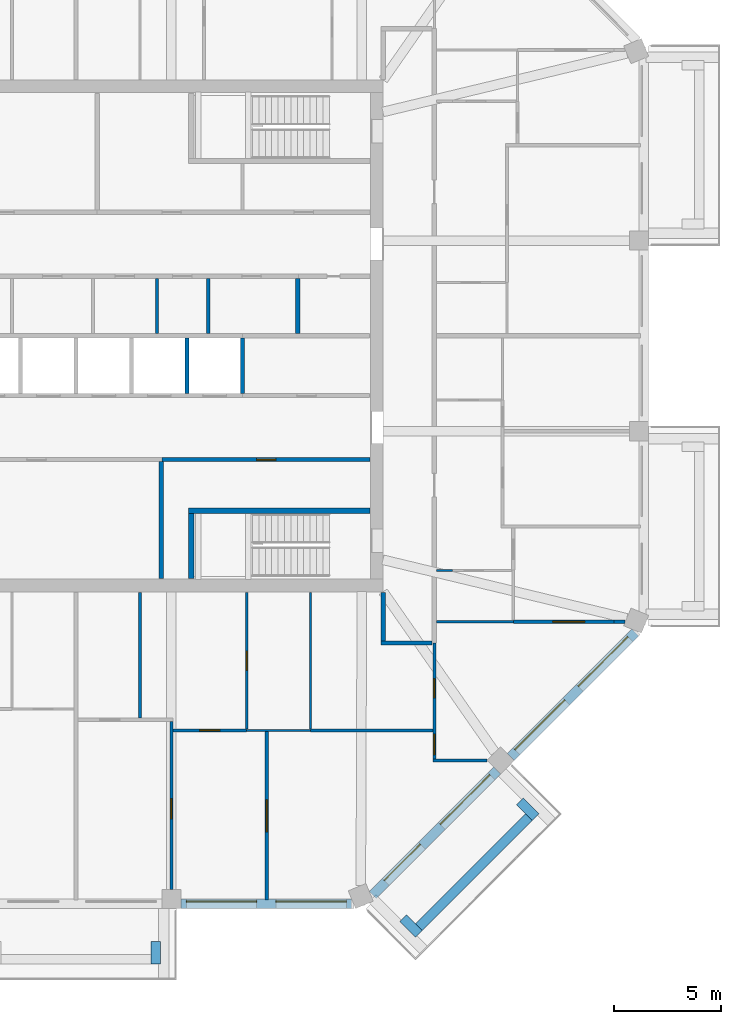
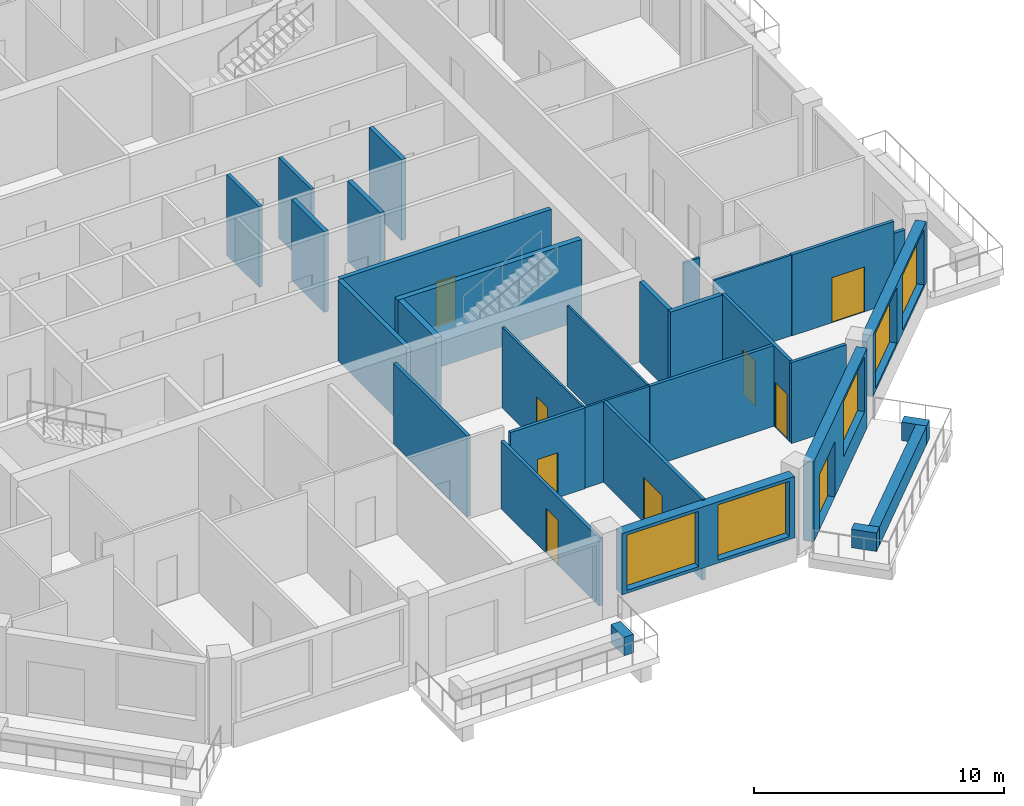
# One storey, part 5 of 12: 32 walls, 9 doors, 5 windows, 14 openings.
"""IFC4 building model written with IfcOpenShell, lengths in metres."""

from ifc_helpers import new_model, si_unit, direction, frame, frame_2d, origin, place, context, subcontext, project, spatial, rectangle, extrude, material, layer, layer_set, type_object, element, fill, save


model = new_model("IFC4")

# Units and contexts
model_context = context("Model", 3, precision=1e-05, world=origin(), true_north=direction((0.0, 1.0)))
body_context = subcontext(model_context, "Body", "Model", "MODEL_VIEW")
ifc_project = project(units=[si_unit("LENGTHUNIT", "METRE"), si_unit("AREAUNIT", "SQUARE_METRE"), si_unit("VOLUMEUNIT", "CUBIC_METRE"), si_unit("PLANEANGLEUNIT", "RADIAN"), si_unit("MASSUNIT", "GRAM", prefix="KILO")], contexts=[model_context])

# Site, building, storey
site_placement = place(None, origin())
site = spatial("IfcSite", under=ifc_project, at=site_placement, CompositionType="ELEMENT")
building_placement = place(site_placement, origin())
building = spatial("IfcBuilding", under=site, at=building_placement, Name="Msitu Wima Residences", CompositionType="ELEMENT")
storey_placement = place(building_placement, frame((0.0, 0.0, 272.699951171875)))
storey = spatial("IfcBuildingStorey", under=building, at=storey_placement, Name="L63", CompositionType="ELEMENT", Elevation=272.699951171875)

# Walls
ifc_material_1 = material(Name="Facing brick")
ifc_layer_1 = layer(ifc_material_1, 0.06494140625, Name="Facing brick")
ifc_material_2 = material(Name="Concrete C40/50", Category="concrete")
ifc_layer_2 = layer(ifc_material_2, 0.156005859375, Name="Concrete C40/50")
ifc_material_3 = material(Name="Waterproofing membrane")
ifc_layer_3 = layer(ifc_material_3, 0.00390625, Name="Waterproofing membrane")
ifc_material_4 = material(Name="Planting soil and planting")
ifc_layer_4 = layer(ifc_material_4, 0.22509765625, Name="Planting soil and planting")
ifc_layer_set_1 = layer_set([ifc_layer_1, ifc_layer_2, ifc_layer_3, ifc_layer_4], Name="Concrete C40/50")
wall_type_1 = type_object("IfcWallType", Name="Balcony planter PLANTER PL450", PredefinedType="USERDEFINED", material=ifc_layer_set_1)
wall_1_placement = place(storey_placement, frame((3.74365234375, -28.39990234375, 0.0), z_axis=(0.0, 0.0, 1.0), x_axis=(0.0, -1.0, 0.0)))
element("IfcWall", 1, at=wall_1_placement, inside=storey, type_object=wall_type_1, Name="Balcony planter S1 L63", ObjectType="PLANTER", PredefinedType="USERDEFINED", context=body_context, shape_type="SweptSolid", body=[
    extrude(rectangle(XDim=1.050048828125, YDim=0.449951171875, at=frame_2d((0.52490234375, 0.0))), origin(), (0.0, 0.0, 1.0), 0.900146484375),
])
wall_2_placement = place(storey_placement, frame((16.0751953125, -27.725830078125, 0.0), z_axis=(0.0, 0.0, 1.0), x_axis=(0.707106781187, 0.707106781187, 0.0)))
element("IfcWall", 2, at=wall_2_placement, inside=storey, type_object=wall_type_1, Name="Balcony planter SE0 L63", ObjectType="PLANTER", PredefinedType="USERDEFINED", context=body_context, shape_type="SweptSolid", body=[
    extrude(rectangle(XDim=7.288330078125, YDim=0.449951171875, at=frame_2d((3.64404296875, 0.0))), origin(), (0.0, 0.0, 1.0), 0.900146484375),
])
for number, where, z_axis, x_axis, name in (
    (3, (15.332763671875, -27.301513671875, 0.0), (0.0, 0.0, 1.0), (0.707106781187, -0.707106781187, 0.0), "Balcony planter SE0 L63"),
    (4, (20.804443359375, -21.829833984375, 0.0), (0.0, 0.0, 1.0), (0.707106781187, -0.707106781187, 0.0), "Balcony planter SE0 L63"),
):
    element("IfcWall", number, at=place(storey_placement, frame(where, z_axis=z_axis, x_axis=x_axis)), inside=storey, type_object=wall_type_1, Name=name, ObjectType="PLANTER", PredefinedType="USERDEFINED", context=body_context, shape_type="SweptSolid", body=[
        extrude(rectangle(XDim=1.050048828125, YDim=0.449951171875, at=frame_2d((0.52490234375, 0.0))), origin(), (0.0, 0.0, 1.0), 0.900146484375),
    ])

# Wall, openings, windows
ifc_material_5 = material(Name="Brick (red buff mix)", Category="masonry")
ifc_layer_5 = layer(ifc_material_5, 0.449951171875)
ifc_layer_set_2 = layer_set([ifc_layer_5], Name="Brick (red buff mix)")
wall_type_2 = type_object("IfcWallType", Name="Brick infill wall BW450", PredefinedType="SOLIDWALL", material=ifc_layer_set_2)
wall_3_placement = place(storey_placement, frame((4.918701171875, -26.625, 0.900146484375), z_axis=(0.0, 0.0, 1.0), x_axis=(1.0, 0.0, 0.0)))
wall_3 = element("IfcWall", 5, at=wall_3_placement, inside=storey, type_object=wall_type_2, Name="Brick infill wall L63 S2", PredefinedType="SOLIDWALL", context=body_context, shape_type="SweptSolid", body=[
    extrude(rectangle(XDim=8.0, YDim=0.449951171875, at=frame_2d((4.0, 0.0))), origin(), (0.0, 0.0, 1.0), 3.0),
])
opening_1_placement = place(wall_3_placement, frame((0.25, 0.0, 0.14990234375)))
opening_1 = element("IfcOpeningElement", 6, at=opening_1_placement, cuts=wall_3, Name="Opening W63-64.019", PredefinedType="OPENING", context=body_context, shape_type="SweptSolid", body=[
    extrude(rectangle(XDim=3.300048828125, YDim=2.699951171875, at=frame_2d((1.64990234375, 1.35009765625))), frame((0.0, 0.23486328125, 0.0), z_axis=(0.0, -1.0, 0.0), x_axis=(1.0, 0.0, 0.0)), (0.0, 0.0, 1.0), 0.469970703125),
])
opening_2_placement = place(wall_3_placement, frame((4.4501953125, 0.0, 0.14990234375)))
opening_2 = element("IfcOpeningElement", 7, at=opening_2_placement, cuts=wall_3, Name="Opening W63-64.020", PredefinedType="OPENING", context=body_context, shape_type="SweptSolid", body=[
    extrude(rectangle(XDim=3.300048828125, YDim=2.699951171875, at=frame_2d((1.64990234375, 1.35009765625))), frame((0.0, 0.23486328125, 0.0), z_axis=(0.0, -1.0, 0.0), x_axis=(1.0, 0.0, 0.0)), (0.0, 0.0, 1.0), 0.469970703125),
])
ifc_material_6 = material(Name="Anodised aluminium, bronze finish, clear low-emissivity double glazing", Category="aluminium")
window_type = type_object("IfcWindowType", Name="Window W3300x2700", PartitioningType="DOUBLE_PANEL_VERTICAL", PredefinedType="WINDOW", material=ifc_material_6)
window_1_placement = place(opening_1_placement, origin())
window_1 = element("IfcWindow", 8, at=window_1_placement, inside=storey, type_object=window_type, Name="Window L63 S2.1", OverallHeight=2.699951171875, OverallWidth=3.300048828125, PartitioningType="SINGLE_PANEL", PredefinedType="WINDOW", context=body_context, shape_type="SweptSolid", body=[
    extrude(rectangle(XDim=3.300048828125, YDim=2.699951171875, at=frame_2d((1.64990234375, 1.35009765625))), frame((0.0, 0.135009765625, 0.0), z_axis=(0.0, -1.0, 0.0), x_axis=(1.0, 0.0, 0.0)), (0.0, 0.0, 1.0), 0.06005859375),
])
fill(opening_1, window_1)
window_2_placement = place(opening_2_placement, origin())
window_2 = element("IfcWindow", 9, at=window_2_placement, inside=storey, type_object=window_type, Name="Window L63 S2.2", OverallHeight=2.699951171875, OverallWidth=3.300048828125, PartitioningType="SINGLE_PANEL", PredefinedType="WINDOW", context=body_context, shape_type="SweptSolid", body=[
    extrude(rectangle(XDim=3.300048828125, YDim=2.699951171875, at=frame_2d((1.64990234375, 1.35009765625))), frame((0.0, 0.135009765625, 0.0), z_axis=(0.0, -1.0, 0.0), x_axis=(1.0, 0.0, 0.0)), (0.0, 0.0, 1.0), 0.06005859375),
])
fill(opening_2, window_2)

# Wall, openings, door, window
wall_4_placement = place(storey_placement, frame((13.909423828125, -26.214599609375, 0.0), z_axis=(0.0, 0.0, 1.0), x_axis=(0.707106781187, 0.707106781187, 0.0)))
wall_4 = element("IfcWall", 10, at=wall_4_placement, inside=storey, type_object=wall_type_2, Name="Brick infill wall L63 SE0", PredefinedType="SOLIDWALL", context=body_context, shape_type="SweptSolid", body=[
    extrude(rectangle(XDim=8.251220703125, YDim=0.449951171875, at=frame_2d((4.12548828125, 0.0))), origin(), (0.0, 0.0, 1.0), 3.900146484375),
])
opening_3_placement = place(wall_4_placement, frame((0.86279296875, 0.0, 0.0)))
opening_3 = element("IfcOpeningElement", 11, at=opening_3_placement, cuts=wall_4, Name="Opening D63-64.007", PredefinedType="OPENING", context=body_context, shape_type="SweptSolid", body=[
    extrude(rectangle(XDim=2.39990234375, YDim=2.699951171875, at=frame_2d((1.199951171875, 1.35009765625))), frame((0.0, 0.23486328125, 0.0), z_axis=(0.0, -1.0, 0.0), x_axis=(1.0, 0.0, 0.0)), (0.0, 0.0, 1.0), 0.469970703125),
])
opening_4_placement = place(wall_4_placement, frame((4.57568359375, 0.0, 1.050048828125)))
opening_4 = element("IfcOpeningElement", 12, at=opening_4_placement, cuts=wall_4, Name="Opening W63-64.021", PredefinedType="OPENING", context=body_context, shape_type="SweptSolid", body=[
    extrude(rectangle(XDim=3.300048828125, YDim=2.699951171875, at=frame_2d((1.64990234375, 1.35009765625))), frame((0.0, 0.23486328125, 0.0), z_axis=(0.0, -1.0, 0.0), x_axis=(1.0, 0.0, 0.0)), (0.0, 0.0, 1.0), 0.469970703125),
])
door_type_1 = type_object("IfcDoorType", Name="Balcony door D2400x2700", OperationType="SLIDING_TO_LEFT", PredefinedType="DOOR", material=ifc_material_6)
door_1_placement = place(opening_3_placement, origin())
door_1 = element("IfcDoor", 13, at=door_1_placement, inside=storey, type_object=door_type_1, Name="Balcony door L63 SE0", OperationType="SINGLE_SWING_LEFT", OverallHeight=2.699951171875, OverallWidth=2.39990234375, PredefinedType="DOOR", context=body_context, shape_type="SweptSolid", body=[
    extrude(rectangle(XDim=2.39990234375, YDim=2.699951171875, at=frame_2d((1.199951171875, 1.35009765625))), frame((0.0, 0.1298828125, 0.0), z_axis=(0.0, -1.0, 0.0), x_axis=(1.0, 0.0, 0.0)), (0.0, 0.0, 1.0), 0.050048828125),
])
fill(opening_3, door_1)
window_3_placement = place(opening_4_placement, origin())
window_3 = element("IfcWindow", 14, at=window_3_placement, inside=storey, type_object=window_type, Name="Window L63 SE0.2", OverallHeight=2.699951171875, OverallWidth=3.300048828125, PartitioningType="SINGLE_PANEL", PredefinedType="WINDOW", context=body_context, shape_type="SweptSolid", body=[
    extrude(rectangle(XDim=3.300048828125, YDim=2.699951171875, at=frame_2d((1.64990234375, 1.35009765625))), frame((0.0, 0.135009765625, 0.0), z_axis=(0.0, -1.0, 0.0), x_axis=(1.0, 0.0, 0.0)), (0.0, 0.0, 1.0), 0.06005859375),
])
fill(opening_4, window_3)

# Wall, openings, windows
wall_5_placement = place(storey_placement, frame((20.380126953125, -19.743896484375, 0.900146484375), z_axis=(0.0, 0.0, 1.0), x_axis=(0.707106781187, 0.707106781187, 0.0)))
wall_5 = element("IfcWall", 15, at=wall_5_placement, inside=storey, type_object=wall_type_2, Name="Brick infill wall L63 SE1", PredefinedType="SOLIDWALL", context=body_context, shape_type="SweptSolid", body=[
    extrude(rectangle(XDim=8.251220703125, YDim=0.449951171875, at=frame_2d((4.12548828125, 0.0))), origin(), (0.0, 0.0, 1.0), 3.0),
])
opening_5_placement = place(wall_5_placement, frame((0.37548828125, 0.0, 0.14990234375)))
opening_5 = element("IfcOpeningElement", 16, at=opening_5_placement, cuts=wall_5, Name="Opening W63-64.022", PredefinedType="OPENING", context=body_context, shape_type="SweptSolid", body=[
    extrude(rectangle(XDim=3.300048828125, YDim=2.699951171875, at=frame_2d((1.64990234375, 1.35009765625))), frame((0.0, 0.23486328125, 0.0), z_axis=(0.0, -1.0, 0.0), x_axis=(1.0, 0.0, 0.0)), (0.0, 0.0, 1.0), 0.469970703125),
])
opening_6_placement = place(wall_5_placement, frame((4.57568359375, 0.0, 0.14990234375)))
opening_6 = element("IfcOpeningElement", 17, at=opening_6_placement, cuts=wall_5, Name="Opening W63-64.023", PredefinedType="OPENING", context=body_context, shape_type="SweptSolid", body=[
    extrude(rectangle(XDim=3.300048828125, YDim=2.699951171875, at=frame_2d((1.64990234375, 1.35009765625))), frame((0.0, 0.23486328125, 0.0), z_axis=(0.0, -1.0, 0.0), x_axis=(1.0, 0.0, 0.0)), (0.0, 0.0, 1.0), 0.469970703125),
])
window_4_placement = place(opening_5_placement, origin())
window_4 = element("IfcWindow", 18, at=window_4_placement, inside=storey, type_object=window_type, Name="Window L63 SE1.1", OverallHeight=2.699951171875, OverallWidth=3.300048828125, PartitioningType="SINGLE_PANEL", PredefinedType="WINDOW", context=body_context, shape_type="SweptSolid", body=[
    extrude(rectangle(XDim=3.300048828125, YDim=2.699951171875, at=frame_2d((1.64990234375, 1.35009765625))), frame((0.0, 0.135009765625, 0.0), z_axis=(0.0, -1.0, 0.0), x_axis=(1.0, 0.0, 0.0)), (0.0, 0.0, 1.0), 0.06005859375),
])
fill(opening_5, window_4)
window_5_placement = place(opening_6_placement, origin())
window_5 = element("IfcWindow", 19, at=window_5_placement, inside=storey, type_object=window_type, Name="Window L63 SE1.2", OverallHeight=2.699951171875, OverallWidth=3.300048828125, PartitioningType="SINGLE_PANEL", PredefinedType="WINDOW", context=body_context, shape_type="SweptSolid", body=[
    extrude(rectangle(XDim=3.300048828125, YDim=2.699951171875, at=frame_2d((1.64990234375, 1.35009765625))), frame((0.0, 0.135009765625, 0.0), z_axis=(0.0, -1.0, 0.0), x_axis=(1.0, 0.0, 0.0)), (0.0, 0.0, 1.0), 0.06005859375),
])
fill(opening_6, window_5)

# Wall, opening, door
ifc_material_7 = material(Name="Plaster")
ifc_layer_6 = layer(ifc_material_7, 0.011962890625, Name="Plaster")
ifc_material_8 = material(Name="Concrete blockwork", Category="masonry")
ifc_layer_7 = layer(ifc_material_8, 0.176025390625, Name="Concrete blockwork")
ifc_layer_8 = layer(ifc_material_7, 0.011962890625, Name="Plaster")
ifc_layer_set_3 = layer_set([ifc_layer_6, ifc_layer_7, ifc_layer_8], Name="Concrete blockwork")
wall_type_3 = type_object("IfcWallType", Name="Corridor wall FW200", PredefinedType="PARTITIONING", material=ifc_layer_set_3)
wall_6_placement = place(storey_placement, frame((4.02001953125, -5.800048828125, 0.0), z_axis=(0.0, 0.0, 1.0), x_axis=(1.0, 0.0, 0.0)))
wall_6 = element("IfcWall", 20, at=wall_6_placement, inside=storey, type_object=wall_type_3, Name="Corridor wall", PredefinedType="PARTITIONING", context=body_context, shape_type="SweptSolid", body=[
    extrude(rectangle(XDim=9.75, YDim=0.199951171875, at=frame_2d((4.875, 0.0))), origin(), (0.0, 0.0, 1.0), 3.949951171875),
])
opening_7_placement = place(wall_6_placement, frame((4.449951171875, 0.0, 0.0)))
opening_7 = element("IfcOpeningElement", 21, at=opening_7_placement, cuts=wall_6, Name="Opening D63-64.076", PredefinedType="OPENING", context=body_context, shape_type="SweptSolid", body=[
    extrude(rectangle(XDim=0.89990234375, YDim=2.199951171875, at=frame_2d((0.449951171875, 1.10009765625))), frame((0.0, 0.10986328125, 0.0), z_axis=(0.0, -1.0, 0.0), x_axis=(1.0, 0.0, 0.0)), (0.0, 0.0, 1.0), 0.219970703125),
])
ifc_material_9 = material(Name="Timber flush door", Category="wood")
door_type_2 = type_object("IfcDoorType", Name="Service door D05 900x2200", OperationType="SINGLE_SWING_LEFT", PredefinedType="DOOR", material=ifc_material_9)
door_2_placement = place(opening_7_placement, origin())
door_2 = element("IfcDoor", 22, at=door_2_placement, inside=storey, type_object=door_type_2, Name="Service door", OperationType="SINGLE_SWING_LEFT", OverallHeight=2.199951171875, OverallWidth=0.89990234375, PredefinedType="DOOR", context=body_context, shape_type="SweptSolid", body=[
    extrude(rectangle(XDim=0.89990234375, YDim=2.199951171875, at=frame_2d((0.449951171875, 1.10009765625))), frame((0.0, 0.02490234375, 0.0), z_axis=(0.0, -1.0, 0.0), x_axis=(1.0, 0.0, 0.0)), (0.0, 0.0, 1.0), 0.050048828125),
])
fill(opening_7, door_2)

# Walls
wall_7_placement = place(storey_placement, frame((14.39990234375, -14.300048828125, 0.0), z_axis=(0.0, 0.0, 1.0), x_axis=(0.0, 1.0, 0.0)))
element("IfcWall", 23, at=wall_7_placement, inside=storey, type_object=wall_type_3, Name="Corridor wall", PredefinedType="PARTITIONING", context=body_context, shape_type="SweptSolid", body=[
    extrude(rectangle(XDim=2.27001953125, YDim=0.199951171875, at=frame_2d((1.135009765625, 0.0))), origin(), (0.0, 0.0, 1.0), 3.949951171875),
])
wall_8_placement = place(storey_placement, frame((14.300048828125, -14.39990234375, 0.0), z_axis=(0.0, 0.0, 1.0), x_axis=(1.0, 0.0, 0.0)))
element("IfcWall", 24, at=wall_8_placement, inside=storey, type_object=wall_type_3, Name="Corridor wall", PredefinedType="PARTITIONING", context=body_context, shape_type="SweptSolid", body=[
    extrude(rectangle(XDim=2.39990234375, YDim=0.199951171875, at=frame_2d((1.199951171875, 0.0))), origin(), (0.0, 0.0, 1.0), 3.949951171875),
])
ifc_layer_9 = layer(ifc_material_7, 0.011962890625, Name="Plaster")
ifc_layer_10 = layer(ifc_material_8, 0.1259765625, Name="Concrete blockwork")
ifc_layer_11 = layer(ifc_material_7, 0.011962890625, Name="Plaster")
ifc_layer_set_4 = layer_set([ifc_layer_9, ifc_layer_10, ifc_layer_11], Name="Concrete blockwork")
wall_type_4 = type_object("IfcWallType", Name="Partition PW150", PredefinedType="PARTITIONING", material=ifc_layer_set_4)
wall_9_placement = place(storey_placement, frame((3.0, -17.925048828125, 0.0), z_axis=(0.0, 0.0, 1.0), x_axis=(0.0, 1.0, 0.0)))
element("IfcWall", 25, at=wall_9_placement, inside=storey, type_object=wall_type_4, Name="Partition", PredefinedType="PARTITIONING", context=body_context, shape_type="SweptSolid", body=[
    extrude(rectangle(XDim=5.89501953125, YDim=0.14990234375, at=frame_2d((2.947509765625, 0.0))), origin(), (0.0, 0.0, 1.0), 3.949951171875),
])
wall_10_placement = place(storey_placement, frame((3.800048828125, 0.10009765625, 0.0), z_axis=(0.0, 0.0, 1.0), x_axis=(0.0, 1.0, 0.0)))
element("IfcWall", 26, at=wall_10_placement, inside=storey, type_object=wall_type_4, Name="Partition", PredefinedType="PARTITIONING", context=body_context, shape_type="SweptSolid", body=[
    extrude(rectangle(XDim=2.599853515625, YDim=0.14990234375, at=frame_2d((1.2998046875, 0.0))), origin(), (0.0, 0.0, 1.0), 3.949951171875),
])

# Wall, opening, door
wall_11_placement = place(storey_placement, frame((4.46875, -25.949951171875, 0.0), z_axis=(0.0, 0.0, 1.0), x_axis=(0.0, 1.0, 0.0)))
wall_11 = element("IfcWall", 27, at=wall_11_placement, inside=storey, type_object=wall_type_4, Name="Partition", PredefinedType="PARTITIONING", context=body_context, shape_type="SweptSolid", body=[
    extrude(rectangle(XDim=7.875, YDim=0.14990234375, at=frame_2d((3.9375, 0.0))), origin(), (0.0, 0.0, 1.0), 3.300048828125),
])
opening_8_placement = place(wall_11_placement, frame((3.300048828125, 0.0, 0.0)))
opening_8 = element("IfcOpeningElement", 28, at=opening_8_placement, cuts=wall_11, Name="Opening D63-64.057", PredefinedType="OPENING", context=body_context, shape_type="SweptSolid", body=[
    extrude(rectangle(XDim=0.949951171875, YDim=2.199951171875, at=frame_2d((0.47509765625, 1.10009765625))), frame((0.0, 0.0849609375, 0.0), z_axis=(0.0, -1.0, 0.0), x_axis=(1.0, 0.0, 0.0)), (0.0, 0.0, 1.0), 0.169921875),
])
door_type_3 = type_object("IfcDoorType", Name="Room door D12 950x2200", OperationType="SINGLE_SWING_LEFT", PredefinedType="DOOR", material=ifc_material_9)
door_3_placement = place(opening_8_placement, origin())
door_3 = element("IfcDoor", 29, at=door_3_placement, inside=storey, type_object=door_type_3, Name="Room door", OperationType="SINGLE_SWING_LEFT", OverallHeight=2.199951171875, OverallWidth=0.949951171875, PredefinedType="DOOR", context=body_context, shape_type="SweptSolid", body=[
    extrude(rectangle(XDim=0.949951171875, YDim=2.199951171875, at=frame_2d((0.47509765625, 1.10009765625))), frame((0.0, 0.02490234375, 0.0), z_axis=(0.0, -1.0, 0.0), x_axis=(1.0, 0.0, 0.0)), (0.0, 0.0, 1.0), 0.050048828125),
])
fill(opening_8, door_3)

wall_12_placement = place(storey_placement, frame((4.543701171875, -18.5, 0.0), z_axis=(0.0, 0.0, 1.0), x_axis=(1.0, 0.0, 0.0)))
wall_12 = element("IfcWall", 30, at=wall_12_placement, inside=storey, type_object=wall_type_4, Name="Partition", PredefinedType="PARTITIONING", context=body_context, shape_type="SweptSolid", body=[
    extrude(rectangle(XDim=3.456298828125, YDim=0.14990234375, at=frame_2d((1.72802734375, 0.0))), origin(), (0.0, 0.0, 1.0), 3.949951171875),
])
opening_9_placement = place(wall_12_placement, frame((1.25, 0.0, 0.0)))
opening_9 = element("IfcOpeningElement", 31, at=opening_9_placement, cuts=wall_12, Name="Opening D63-64.055", PredefinedType="OPENING", context=body_context, shape_type="SweptSolid", body=[
    extrude(rectangle(XDim=0.949951171875, YDim=2.199951171875, at=frame_2d((0.47509765625, 1.10009765625))), frame((0.0, 0.0849609375, 0.0), z_axis=(0.0, -1.0, 0.0), x_axis=(1.0, 0.0, 0.0)), (0.0, 0.0, 1.0), 0.169921875),
])
door_4_placement = place(opening_9_placement, origin())
door_4 = element("IfcDoor", 32, at=door_4_placement, inside=storey, type_object=door_type_3, Name="Room door", OperationType="SINGLE_SWING_RIGHT", OverallHeight=2.199951171875, OverallWidth=0.949951171875, PredefinedType="DOOR", context=body_context, shape_type="SweptSolid", body=[
    extrude(rectangle(XDim=0.949951171875, YDim=2.199951171875, at=frame_2d((0.47509765625, 1.10009765625))), frame((0.0, 0.02490234375, 0.0), z_axis=(0.0, -1.0, 0.0), x_axis=(1.0, 0.0, 0.0)), (0.0, 0.0, 1.0), 0.050048828125),
])
fill(opening_9, door_4)

# Wall
wall_13_placement = place(storey_placement, frame((6.199951171875, 0.10009765625, 0.0), z_axis=(0.0, 0.0, 1.0), x_axis=(0.0, 1.0, 0.0)))
element("IfcWall", 33, at=wall_13_placement, inside=storey, type_object=wall_type_4, Name="Partition", PredefinedType="PARTITIONING", context=body_context, shape_type="SweptSolid", body=[
    extrude(rectangle(XDim=2.599853515625, YDim=0.14990234375, at=frame_2d((1.2998046875, 0.0))), origin(), (0.0, 0.0, 1.0), 3.949951171875),
])

# Wall, opening, door
wall_14_placement = place(storey_placement, frame((8.937255859375, -26.455078125, 0.0), z_axis=(0.0, 0.0, 1.0), x_axis=(0.0, 1.0, 0.0)))
wall_14 = element("IfcWall", 34, at=wall_14_placement, inside=storey, type_object=wall_type_4, Name="Partition", PredefinedType="PARTITIONING", context=body_context, shape_type="SweptSolid", body=[
    extrude(rectangle(XDim=7.905029296875, YDim=0.14990234375, at=frame_2d((3.95263671875, 0.0))), origin(), (0.0, 0.0, 1.0), 3.949951171875),
])
opening_10_placement = place(wall_14_placement, frame((3.199951171875, 0.0, 0.0)))
opening_10 = element("IfcOpeningElement", 35, at=opening_10_placement, cuts=wall_14, Name="Opening D63-64.066", PredefinedType="OPENING", context=body_context, shape_type="SweptSolid", body=[
    extrude(rectangle(XDim=1.5, YDim=2.199951171875, at=frame_2d((0.75, 1.10009765625))), frame((0.0, 0.0849609375, 0.0), z_axis=(0.0, -1.0, 0.0), x_axis=(1.0, 0.0, 0.0)), (0.0, 0.0, 1.0), 0.169921875),
])
ifc_material_10 = material(Name="Timber double door", Category="wood")
door_type_4 = type_object("IfcDoorType", Name="Double door D04 1500x2200", OperationType="DOUBLE_DOOR_SINGLE_SWING", PredefinedType="DOOR", material=ifc_material_10)
door_5_placement = place(opening_10_placement, origin())
door_5 = element("IfcDoor", 36, at=door_5_placement, inside=storey, type_object=door_type_4, Name="Double door", OperationType="DOUBLE_DOOR_SINGLE_SWING", OverallHeight=2.199951171875, OverallWidth=1.5, PredefinedType="DOOR", context=body_context, shape_type="SweptSolid", body=[
    extrude(rectangle(XDim=1.5, YDim=2.199951171875, at=frame_2d((0.75, 1.10009765625))), frame((0.0, 0.02490234375, 0.0), z_axis=(0.0, -1.0, 0.0), x_axis=(1.0, 0.0, 0.0)), (0.0, 0.0, 1.0), 0.050048828125),
])
fill(opening_10, door_5)

# Wall
wall_15_placement = place(storey_placement, frame((11.0, -18.5, 0.0), z_axis=(0.0, 0.0, 1.0), x_axis=(1.0, 0.0, 0.0)))
element("IfcWall", 37, at=wall_15_placement, inside=storey, type_object=wall_type_4, Name="Partition", PredefinedType="PARTITIONING", context=body_context, shape_type="SweptSolid", body=[
    extrude(rectangle(XDim=5.72509765625, YDim=0.14990234375, at=frame_2d((2.862548828125, 0.0))), origin(), (0.0, 0.0, 1.0), 3.949951171875),
])

# Wall, openings, doors
wall_16_placement = place(storey_placement, frame((16.800048828125, -19.827880859375, 0.0), z_axis=(0.0, 0.0, 1.0), x_axis=(0.0, 1.0, 0.0)))
wall_16 = element("IfcWall", 38, at=wall_16_placement, inside=storey, type_object=wall_type_4, Name="Partition", PredefinedType="PARTITIONING", context=body_context, shape_type="SweptSolid", body=[
    extrude(rectangle(XDim=5.427978515625, YDim=0.14990234375, at=frame_2d((2.7138671875, 0.0))), origin(), (0.0, 0.0, 1.0), 3.949951171875),
])
opening_11_placement = place(wall_16_placement, frame((2.85009765625, 0.0, 0.0)))
opening_11 = element("IfcOpeningElement", 39, at=opening_11_placement, cuts=wall_16, Name="Opening D63-64.064", PredefinedType="OPENING", context=body_context, shape_type="SweptSolid", body=[
    extrude(rectangle(XDim=0.89990234375, YDim=2.199951171875, at=frame_2d((0.449951171875, 1.10009765625))), frame((0.0, 0.0849609375, 0.0), z_axis=(0.0, -1.0, 0.0), x_axis=(1.0, 0.0, 0.0)), (0.0, 0.0, 1.0), 0.169921875),
])
opening_12_placement = place(wall_16_placement, frame((0.199951171875, 0.0, 0.0)))
opening_12 = element("IfcOpeningElement", 40, at=opening_12_placement, cuts=wall_16, Name="Opening D63-64.065", PredefinedType="OPENING", context=body_context, shape_type="SweptSolid", body=[
    extrude(rectangle(XDim=0.949951171875, YDim=2.199951171875, at=frame_2d((0.47509765625, 1.10009765625))), frame((0.0, 0.0849609375, 0.0), z_axis=(0.0, -1.0, 0.0), x_axis=(1.0, 0.0, 0.0)), (0.0, 0.0, 1.0), 0.169921875),
])
door_6_placement = place(opening_12_placement, origin())
door_6 = element("IfcDoor", 41, at=door_6_placement, inside=storey, type_object=door_type_3, Name="Room door", OperationType="SINGLE_SWING_RIGHT", OverallHeight=2.199951171875, OverallWidth=0.949951171875, PredefinedType="DOOR", context=body_context, shape_type="SweptSolid", body=[
    extrude(rectangle(XDim=0.949951171875, YDim=2.199951171875, at=frame_2d((0.47509765625, 1.10009765625))), frame((0.0, 0.02490234375, 0.0), z_axis=(0.0, -1.0, 0.0), x_axis=(1.0, 0.0, 0.0)), (0.0, 0.0, 1.0), 0.050048828125),
])
fill(opening_12, door_6)
door_7_placement = place(opening_11_placement, origin())
door_7 = element("IfcDoor", 42, at=door_7_placement, inside=storey, type_object=door_type_2, Name="Service door", OperationType="SINGLE_SWING_LEFT", OverallHeight=2.199951171875, OverallWidth=0.89990234375, PredefinedType="DOOR", context=body_context, shape_type="SweptSolid", body=[
    extrude(rectangle(XDim=0.89990234375, YDim=2.199951171875, at=frame_2d((0.449951171875, 1.10009765625))), frame((0.0, 0.02490234375, 0.0), z_axis=(0.0, -1.0, 0.0), x_axis=(1.0, 0.0, 0.0)), (0.0, 0.0, 1.0), 0.050048828125),
])
fill(opening_11, door_7)

# Wall
wall_17_placement = place(storey_placement, frame((16.72509765625, -19.90283203125, 0.0), z_axis=(0.0, 0.0, 1.0), x_axis=(1.0, 0.0, 0.0)))
element("IfcWall", 43, at=wall_17_placement, inside=storey, type_object=wall_type_4, Name="Partition", PredefinedType="PARTITIONING", context=body_context, shape_type="SweptSolid", body=[
    extrude(rectangle(XDim=2.54150390625, YDim=0.14990234375, at=frame_2d((1.270751953125, 0.0))), origin(), (0.0, 0.0, 1.0), 3.949951171875),
])

# Wall, opening, door
wall_18_placement = place(storey_placement, frame((20.5, -13.406005859375, 0.0), z_axis=(0.0, 0.0, 1.0), x_axis=(1.0, 0.0, 0.0)))
wall_18 = element("IfcWall", 44, at=wall_18_placement, inside=storey, type_object=wall_type_4, Name="Partition", PredefinedType="PARTITIONING", context=body_context, shape_type="SweptSolid", body=[
    extrude(rectangle(XDim=4.72412109375, YDim=0.14990234375, at=frame_2d((2.362060546875, 0.0))), origin(), (0.0, 0.0, 1.0), 3.949951171875),
])
opening_13_placement = place(wall_18_placement, frame((1.85009765625, 0.0, 0.0)))
opening_13 = element("IfcOpeningElement", 45, at=opening_13_placement, cuts=wall_18, Name="Opening D63-64.063", PredefinedType="OPENING", context=body_context, shape_type="SweptSolid", body=[
    extrude(rectangle(XDim=1.5, YDim=2.199951171875, at=frame_2d((0.75, 1.10009765625))), frame((0.0, 0.0849609375, 0.0), z_axis=(0.0, -1.0, 0.0), x_axis=(1.0, 0.0, 0.0)), (0.0, 0.0, 1.0), 0.169921875),
])
door_8_placement = place(opening_13_placement, origin())
door_8 = element("IfcDoor", 46, at=door_8_placement, inside=storey, type_object=door_type_4, Name="Double door", OperationType="DOUBLE_DOOR_SINGLE_SWING", OverallHeight=2.199951171875, OverallWidth=1.5, PredefinedType="DOOR", context=body_context, shape_type="SweptSolid", body=[
    extrude(rectangle(XDim=1.5, YDim=2.199951171875, at=frame_2d((0.75, 1.10009765625))), frame((0.0, 0.02490234375, 0.0), z_axis=(0.0, -1.0, 0.0), x_axis=(1.0, 0.0, 0.0)), (0.0, 0.0, 1.0), 0.050048828125),
])
fill(opening_13, door_8)

# Walls
wall_19_placement = place(storey_placement, frame((25.22412109375, -13.406005859375, 0.0), z_axis=(0.0, 0.0, 1.0), x_axis=(1.0, 0.0, 0.0)))
element("IfcWall", 47, at=wall_19_placement, inside=storey, type_object=wall_type_4, Name="Partition", PredefinedType="PARTITIONING", context=body_context, shape_type="SweptSolid", body=[
    extrude(rectangle(XDim=0.507080078125, YDim=0.14990234375, at=frame_2d((0.25341796875, 0.0))), origin(), (0.0, 0.0, 1.0), 3.35009765625),
])
ifc_layer_12 = layer(ifc_material_7, 0.011962890625, Name="Plaster")
ifc_material_11 = material(Name="Reinforced concrete blockwork", Category="masonry")
ifc_layer_13 = layer(ifc_material_11, 0.176025390625, Name="Reinforced concrete blockwork")
ifc_layer_14 = layer(ifc_material_7, 0.011962890625, Name="Plaster")
ifc_layer_set_5 = layer_set([ifc_layer_12, ifc_layer_13, ifc_layer_14], Name="Reinforced concrete blockwork")
wall_type_5 = type_object("IfcWallType", Name="Plant and riser wall PL200", PredefinedType="PARTITIONING", material=ifc_layer_set_5)
wall_20_placement = place(storey_placement, frame((4.0, -11.3701171875, 0.0), z_axis=(0.0, 0.0, 1.0), x_axis=(0.0, 1.0, 0.0)))
element("IfcWall", 48, at=wall_20_placement, inside=storey, type_object=wall_type_5, Name="Plant and riser wall", PredefinedType="PARTITIONING", context=body_context, shape_type="SweptSolid", body=[
    extrude(rectangle(XDim=5.47021484375, YDim=0.199951171875, at=frame_2d((2.735107421875, 0.0))), origin(), (0.0, 0.0, 1.0), 3.949951171875),
])
wall_21_placement = place(storey_placement, frame((10.39990234375, 0.10009765625, 0.0), z_axis=(0.0, 0.0, 1.0), x_axis=(0.0, 1.0, 0.0)))
element("IfcWall", 49, at=wall_21_placement, inside=storey, type_object=wall_type_5, Name="Plant and riser wall", PredefinedType="PARTITIONING", context=body_context, shape_type="SweptSolid", body=[
    extrude(rectangle(XDim=2.599853515625, YDim=0.199951171875, at=frame_2d((1.2998046875, 0.0))), origin(), (0.0, 0.0, 1.0), 3.949951171875),
])
ifc_material_12 = material(Name="Fire-rated board")
ifc_layer_15 = layer(ifc_material_12, 0.02490234375, Name="Fire-rated board")
ifc_material_13 = material(Name="Light-gauge stud framing with mineral wool")
ifc_layer_16 = layer(ifc_material_13, 0.14990234375, Name="Light-gauge stud framing with mineral wool")
ifc_layer_17 = layer(ifc_material_12, 0.02490234375, Name="Fire-rated board")
ifc_layer_set_6 = layer_set([ifc_layer_15, ifc_layer_16, ifc_layer_17], Name="Light-gauge stud framing with mineral wool")
wall_type_6 = type_object("IfcWallType", Name="Shaft wall SH200", PredefinedType="PARTITIONING", material=ifc_layer_set_6)
for number, where, z_axis, x_axis, name in (
    (50, (5.199951171875, -2.699951171875, 0.0), (0.0, 0.0, 1.0), (0.0, 1.0, 0.0), "Shaft wall"),
    (51, (7.800048828125, -2.699951171875, 0.0), (0.0, 0.0, 1.0), (0.0, 1.0, 0.0), "Shaft wall"),
):
    element("IfcWall", number, at=place(storey_placement, frame(where, z_axis=z_axis, x_axis=x_axis)), inside=storey, type_object=wall_type_6, Name=name, PredefinedType="PARTITIONING", context=body_context, shape_type="SweptSolid", body=[
        extrude(rectangle(XDim=2.599853515625, YDim=0.199951171875, at=frame_2d((1.2998046875, 0.0))), origin(), (0.0, 0.0, 1.0), 3.949951171875),
    ])
ifc_material_14 = material(Name="Concrete C50/60", Category="concrete")
ifc_layer_18 = layer(ifc_material_14, 0.25)
ifc_layer_set_7 = layer_set([ifc_layer_18], Name="Concrete C50/60")
wall_type_7 = type_object("IfcWallType", Name="Stair enclosure wall SW250", PredefinedType="SHEAR", material=ifc_layer_set_7)
wall_22_placement = place(storey_placement, frame((5.39990234375, -11.3701171875, 0.0), z_axis=(0.0, 0.0, 1.0), x_axis=(0.0, 1.0, 0.0)))
element("IfcWall", 52, at=wall_22_placement, inside=storey, type_object=wall_type_7, Name="Stair enclosure wall", PredefinedType="SHEAR", context=body_context, shape_type="SweptSolid", body=[
    extrude(rectangle(XDim=3.045166015625, YDim=0.25, at=frame_2d((1.5224609375, 0.0))), origin(), (0.0, 0.0, 1.0), 3.949951171875),
])
wall_23_placement = place(storey_placement, frame((5.27490234375, -8.199951171875, 0.0), z_axis=(0.0, 0.0, 1.0), x_axis=(1.0, 0.0, 0.0)))
element("IfcWall", 53, at=wall_23_placement, inside=storey, type_object=wall_type_7, Name="Stair enclosure wall", PredefinedType="SHEAR", context=body_context, shape_type="SweptSolid", body=[
    extrude(rectangle(XDim=8.4951171875, YDim=0.25, at=frame_2d((4.24755859375, 0.0))), origin(), (0.0, 0.0, 1.0), 3.949951171875),
])
ifc_material_15 = material(Name="Ceramic tiles")
ifc_layer_19 = layer(ifc_material_15, 0.008056640625, Name="Ceramic tiles")
ifc_material_16 = material(Name="Moisture-resistant board")
ifc_layer_20 = layer(ifc_material_16, 0.012451171875, Name="Moisture-resistant board")
ifc_layer_21 = layer(ifc_material_13, 0.06689453125, Name="Light-gauge stud framing with mineral wool")
ifc_layer_22 = layer(ifc_material_16, 0.012451171875, Name="Moisture-resistant board")
ifc_layer_set_8 = layer_set([ifc_layer_19, ifc_layer_20, ifc_layer_21, ifc_layer_22], Name="Light-gauge stud framing with mineral wool")
wall_type_8 = type_object("IfcWallType", Name="Wet wall PW100", PredefinedType="PARTITIONING", material=ifc_layer_set_8)
wall_24_placement = place(storey_placement, frame((8.0, -18.5, 0.0), z_axis=(0.0, 0.0, 1.0), x_axis=(1.0, 0.0, 0.0)))
element("IfcWall", 54, at=wall_24_placement, inside=storey, type_object=wall_type_8, Name="Wet wall", PredefinedType="PARTITIONING", context=body_context, shape_type="SweptSolid", body=[
    extrude(rectangle(XDim=3.0, YDim=0.10009765625, at=frame_2d((1.5, 0.0))), origin(), (0.0, 0.0, 1.0), 3.949951171875),
])

# Wall, opening, door
wall_25_placement = place(storey_placement, frame((8.0, -18.425048828125, 0.0), z_axis=(0.0, 0.0, 1.0), x_axis=(0.0, 1.0, 0.0)))
wall_25 = element("IfcWall", 55, at=wall_25_placement, inside=storey, type_object=wall_type_8, Name="Wet wall", PredefinedType="PARTITIONING", context=body_context, shape_type="SweptSolid", body=[
    extrude(rectangle(XDim=6.39501953125, YDim=0.10009765625, at=frame_2d((3.197509765625, 0.0))), origin(), (0.0, 0.0, 1.0), 3.949951171875),
])
opening_14_placement = place(wall_25_placement, frame((2.75, 0.0, 0.0)))
opening_14 = element("IfcOpeningElement", 56, at=opening_14_placement, cuts=wall_25, Name="Opening D63-64.056", PredefinedType="OPENING", context=body_context, shape_type="SweptSolid", body=[
    extrude(rectangle(XDim=0.89990234375, YDim=2.199951171875, at=frame_2d((0.449951171875, 1.10009765625))), frame((0.0, 0.06005859375, 0.0), z_axis=(0.0, -1.0, 0.0), x_axis=(1.0, 0.0, 0.0)), (0.0, 0.0, 1.0), 0.1201171875),
])
door_9_placement = place(opening_14_placement, origin())
door_9 = element("IfcDoor", 57, at=door_9_placement, inside=storey, type_object=door_type_2, Name="Service door", OperationType="SINGLE_SWING_LEFT", OverallHeight=2.199951171875, OverallWidth=0.89990234375, PredefinedType="DOOR", context=body_context, shape_type="SweptSolid", body=[
    extrude(rectangle(XDim=0.89990234375, YDim=2.199951171875, at=frame_2d((0.449951171875, 1.10009765625))), frame((0.0, 0.02490234375, 0.0), z_axis=(0.0, -1.0, 0.0), x_axis=(1.0, 0.0, 0.0)), (0.0, 0.0, 1.0), 0.050048828125),
])
fill(opening_14, door_9)

# Walls
wall_26_placement = place(storey_placement, frame((11.0, -18.425048828125, 0.0), z_axis=(0.0, 0.0, 1.0), x_axis=(0.0, 1.0, 0.0)))
element("IfcWall", 58, at=wall_26_placement, inside=storey, type_object=wall_type_8, Name="Wet wall", PredefinedType="PARTITIONING", context=body_context, shape_type="SweptSolid", body=[
    extrude(rectangle(XDim=6.39501953125, YDim=0.10009765625, at=frame_2d((3.197509765625, 0.0))), origin(), (0.0, 0.0, 1.0), 3.949951171875),
])
wall_27_placement = place(storey_placement, frame((16.89990234375, -13.406005859375, 0.0), z_axis=(0.0, 0.0, 1.0), x_axis=(1.0, 0.0, 0.0)))
element("IfcWall", 59, at=wall_27_placement, inside=storey, type_object=wall_type_8, Name="Wet wall", PredefinedType="PARTITIONING", context=body_context, shape_type="SweptSolid", body=[
    extrude(rectangle(XDim=3.60009765625, YDim=0.10009765625, at=frame_2d((1.800048828125, 0.0))), origin(), (0.0, 0.0, 1.0), 3.949951171875),
])
wall_28_placement = place(storey_placement, frame((16.89990234375, -11.0, 0.0), z_axis=(0.0, 0.0, 1.0), x_axis=(1.0, 0.0, 0.0)))
element("IfcWall", 60, at=wall_28_placement, inside=storey, type_object=wall_type_8, Name="Wet wall", PredefinedType="PARTITIONING", context=body_context, shape_type="SweptSolid", body=[
    extrude(rectangle(XDim=0.75390625, YDim=0.10009765625, at=frame_2d((0.376953125, 0.0))), origin(), (0.0, 0.0, 1.0), 3.35009765625),
])

save(model, "model.ifc")
